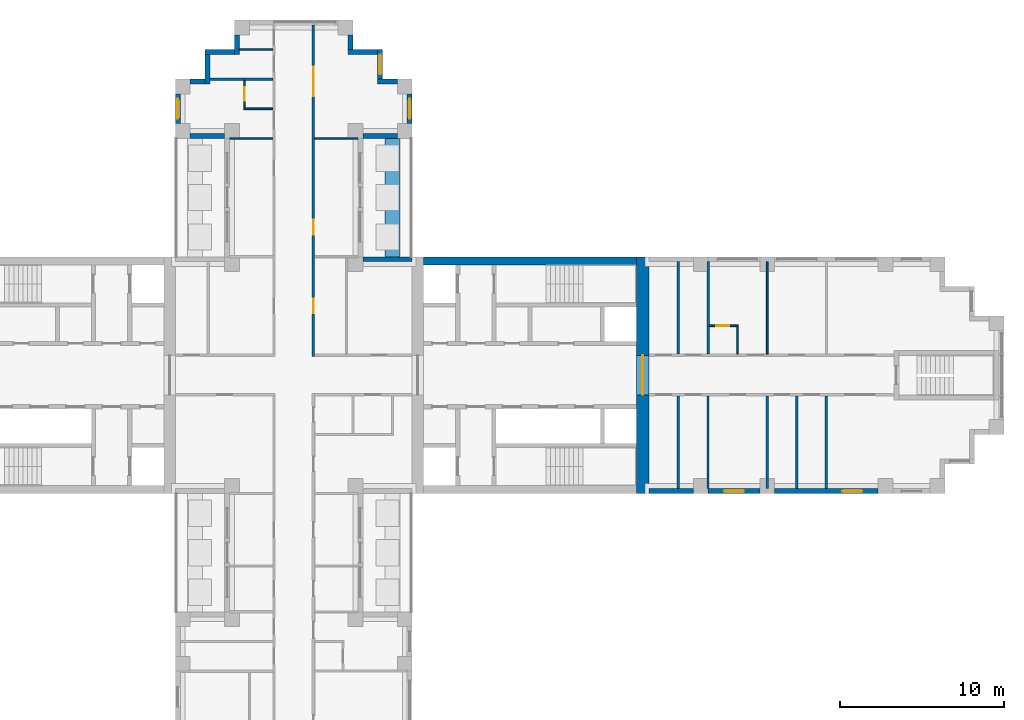
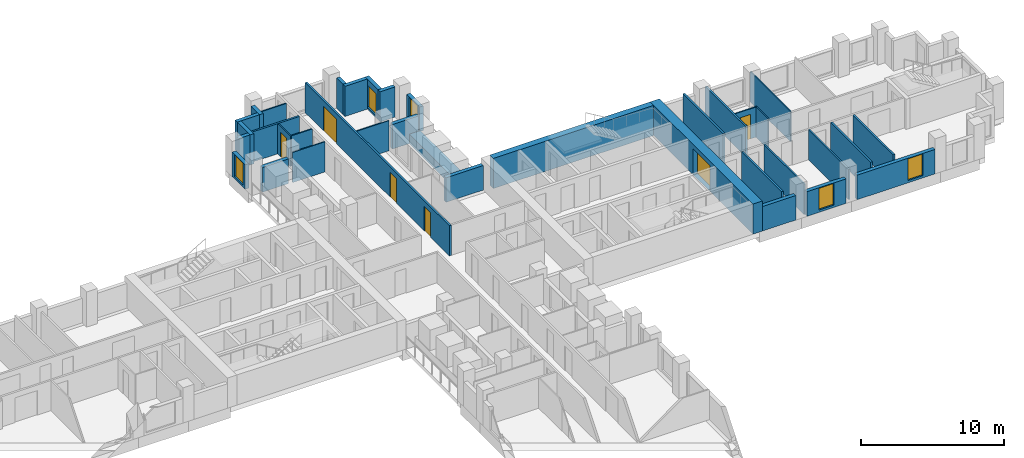
# One storey, part 9 of 13: 36 walls, 6 doors, 5 windows, 11 openings.
"""IFC4 building model written with IfcOpenShell, lengths in metres."""

from ifc_helpers import new_model, si_unit, direction, frame, frame_2d, origin, place, context, subcontext, project, spatial, rectangle, extrude, material, layer, layer_set, type_object, element, fill, save


model = new_model("IFC4")

# Units and contexts
model_context = context("Model", 3, precision=1e-05, world=origin(), true_north=direction((0.0, 1.0)))
body_context = subcontext(model_context, "Body", "Model", "MODEL_VIEW")
ifc_project = project(units=[si_unit("LENGTHUNIT", "METRE"), si_unit("AREAUNIT", "SQUARE_METRE"), si_unit("VOLUMEUNIT", "CUBIC_METRE"), si_unit("PLANEANGLEUNIT", "RADIAN"), si_unit("MASSUNIT", "GRAM", prefix="KILO")], contexts=[model_context])

# Site, building, storey
site_placement = place(None, origin())
site = spatial("IfcSite", under=ifc_project, at=site_placement, CompositionType="ELEMENT")
building_placement = place(site_placement, origin())
building = spatial("IfcBuilding", under=site, at=building_placement, Name="Fustian Cross Tower", CompositionType="ELEMENT")
storey_placement = place(building_placement, frame((0.0, 0.0, 75.89990234375)))
storey = spatial("IfcBuildingStorey", under=building, at=storey_placement, Name="L23", CompositionType="ELEMENT", Elevation=75.89990234375)

# Wall
ifc_material_1 = material(Name="Plasterboard on steel stud", Category="steel")
ifc_layer_1 = layer(ifc_material_1, 0.14990234375)
ifc_layer_set_1 = layer_set([ifc_layer_1], Name="Plasterboard on steel stud")
wall_type_1 = type_object("IfcWallType", Name="COMPARTMENT WALL 150 EI 60", PredefinedType="PARTITIONING", material=ifc_layer_set_1)
wall_1_placement = place(storey_placement, frame((-5.10009765625, 18.0, 0.0), z_axis=(0.0, 0.0, 1.0), x_axis=(1.0, 0.0, 0.0)))
element("IfcWall", 1, at=wall_1_placement, inside=storey, type_object=wall_type_1, Name="Partition 21", PredefinedType="PARTITIONING", context=body_context, shape_type="SweptSolid", body=[
    extrude(rectangle(XDim=3.8251953125, YDim=0.14990234375, at=frame_2d((1.91259765625, 0.0))), origin(), (0.0, 0.0, 1.0), 2.5751953125),
])

# Wall, openings, doors
wall_2_placement = place(storey_placement, frame((1.199951171875, 1.125, 0.0), z_axis=(0.0, 0.0, 1.0), x_axis=(0.0, 1.0, 0.0)))
wall_2 = element("IfcWall", 2, at=wall_2_placement, inside=storey, type_object=wall_type_1, Name="Partition 46", PredefinedType="PARTITIONING", context=body_context, shape_type="SweptSolid", body=[
    extrude(rectangle(XDim=20.175048828125, YDim=0.14990234375, at=frame_2d((10.08740234375, 0.0))), origin(), (0.0, 0.0, 1.0), 2.5751953125),
])
opening_1_placement = place(wall_2_placement, frame((2.625, 0.0, 0.0)))
opening_1 = element("IfcOpeningElement", 3, at=opening_1_placement, cuts=wall_2, Name="Opening D12001", PredefinedType="OPENING", context=body_context, shape_type="SweptSolid", body=[
    extrude(rectangle(XDim=0.89990234375, YDim=2.10009765625, at=frame_2d((0.449951171875, 1.050048828125))), frame((0.0, 0.0849609375, 0.0), z_axis=(0.0, -1.0, 0.0), x_axis=(1.0, 0.0, 0.0)), (0.0, 0.0, 1.0), 0.169921875),
])
opening_2_placement = place(wall_2_placement, frame((7.425048828125, 0.0, 0.0)))
opening_2 = element("IfcOpeningElement", 4, at=opening_2_placement, cuts=wall_2, Name="Opening D12026", PredefinedType="OPENING", context=body_context, shape_type="SweptSolid", body=[
    extrude(rectangle(XDim=0.89990234375, YDim=2.10009765625, at=frame_2d((0.449951171875, 1.050048828125))), frame((0.0, 0.0849609375, 0.0), z_axis=(0.0, -1.0, 0.0), x_axis=(1.0, 0.0, 0.0)), (0.0, 0.0, 1.0), 0.169921875),
])
opening_3_placement = place(wall_2_placement, frame((15.824951171875, 0.0, 0.0)))
opening_3 = element("IfcOpeningElement", 5, at=opening_3_placement, cuts=wall_2, Name="Opening D12027", PredefinedType="OPENING", context=body_context, shape_type="SweptSolid", body=[
    extrude(rectangle(XDim=1.800048828125, YDim=2.10009765625, at=frame_2d((0.89990234375, 1.050048828125))), frame((0.0, 0.0849609375, 0.0), z_axis=(0.0, -1.0, 0.0), x_axis=(1.0, 0.0, 0.0)), (0.0, 0.0, 1.0), 0.169921875),
])
ifc_material_2 = material(Name="Timber fire door set", Category="wood")
door_type_1 = type_object("IfcDoorType", Name="FIRE DOUBLE DOOR 1800 FD30S", OperationType="DOUBLE_DOOR_DOUBLE_SWING", PredefinedType="DOOR", material=ifc_material_2)
door_1_placement = place(opening_3_placement, origin())
door_1 = element("IfcDoor", 6, at=door_1_placement, inside=storey, type_object=door_type_1, Name="Door D12027", OperationType="DOUBLE_DOOR_DOUBLE_SWING", OverallHeight=2.10009765625, OverallWidth=1.800048828125, PredefinedType="DOOR", context=body_context, shape_type="SweptSolid", body=[
    extrude(rectangle(XDim=1.800048828125, YDim=2.10009765625, at=frame_2d((0.89990234375, 1.050048828125))), frame((0.0, 0.02490234375, 0.0), z_axis=(0.0, -1.0, 0.0), x_axis=(1.0, 0.0, 0.0)), (0.0, 0.0, 1.0), 0.050048828125),
])
fill(opening_3, door_1)
ifc_material_3 = material(Name="Timber fire door set", Category="wood")
door_type_2 = type_object("IfcDoorType", Name="FIRE SWING DOOR 900 FD30S", OperationType="SINGLE_SWING_LEFT", PredefinedType="DOOR", material=ifc_material_3)
door_2_placement = place(opening_1_placement, frame((0.89990234375, 0.0, 0.0), z_axis=(0.0, 0.0, 1.0), x_axis=(-1.0, 0.0, 0.0)))
door_2 = element("IfcDoor", 7, at=door_2_placement, inside=storey, type_object=door_type_2, Name="Door D12001", OperationType="SINGLE_SWING_RIGHT", OverallHeight=2.10009765625, OverallWidth=0.89990234375, PredefinedType="DOOR", context=body_context, shape_type="SweptSolid", body=[
    extrude(rectangle(XDim=0.89990234375, YDim=2.10009765625, at=frame_2d((0.449951171875, 1.050048828125))), frame((0.0, 0.02490234375, 0.0), z_axis=(0.0, -1.0, 0.0), x_axis=(1.0, 0.0, 0.0)), (0.0, 0.0, 1.0), 0.050048828125),
])
fill(opening_1, door_2)
door_3_placement = place(opening_2_placement, frame((0.89990234375, 0.0, 0.0), z_axis=(0.0, 0.0, 1.0), x_axis=(-1.0, 0.0, 0.0)))
door_3 = element("IfcDoor", 8, at=door_3_placement, inside=storey, type_object=door_type_2, Name="Door D12026", OperationType="SINGLE_SWING_RIGHT", OverallHeight=2.10009765625, OverallWidth=0.89990234375, PredefinedType="DOOR", context=body_context, shape_type="SweptSolid", body=[
    extrude(rectangle(XDim=0.89990234375, YDim=2.10009765625, at=frame_2d((0.449951171875, 1.050048828125))), frame((0.0, 0.02490234375, 0.0), z_axis=(0.0, -1.0, 0.0), x_axis=(1.0, 0.0, 0.0)), (0.0, 0.0, 1.0), 0.050048828125),
])
fill(opening_2, door_3)

# Walls
for number, where, z_axis, x_axis, name in (
    (9, (23.39990234375, -6.89990234375, 0.0), (0.0, 0.0, 1.0), (0.0, 1.0, 0.0), "Partition 57"),
    (10, (23.39990234375, 1.27490234375, 0.0), (0.0, 0.0, 1.0), (0.0, 1.0, 0.0), "Partition 58"),
    (11, (25.199951171875, 1.27490234375, 0.0), (0.0, 0.0, 1.0), (0.0, 1.0, 0.0), "Partition 60"),
    (12, (30.60009765625, -6.89990234375, 0.0), (0.0, 0.0, 1.0), (0.0, 1.0, 0.0), "Partition 65"),
    (13, (32.39990234375, -6.89990234375, 0.0), (0.0, 0.0, 1.0), (0.0, 1.0, 0.0), "Partition 66"),
):
    element("IfcWall", number, at=place(storey_placement, frame(where, z_axis=z_axis, x_axis=x_axis)), inside=storey, type_object=wall_type_1, Name=name, PredefinedType="PARTITIONING", context=body_context, shape_type="SweptSolid", body=[
        extrude(rectangle(XDim=5.625, YDim=0.14990234375, at=frame_2d((2.8125, 0.0))), origin(), (0.0, 0.0, 1.0), 2.5751953125),
    ])

# Wall, opening, door
ifc_material_4 = material(Name="Concrete C70/85", Category="concrete")
ifc_layer_2 = layer(ifc_material_4, 0.75)
ifc_layer_set_2 = layer_set([ifc_layer_2], Name="Concrete C70/85")
wall_type_2 = type_object("IfcWallType", Name="CORE END WALL 750 C70/85", PredefinedType="SHEAR", material=ifc_layer_set_2)
wall_3_placement = place(storey_placement, frame((21.22509765625, -7.199951171875, 0.0), z_axis=(0.0, 0.0, 1.0), x_axis=(0.0, 1.0, 0.0)))
wall_3 = element("IfcWall", 14, at=wall_3_placement, inside=storey, type_object=wall_type_2, Name="Core end wall", PredefinedType="SHEAR", context=body_context, shape_type="SweptSolid", body=[
    extrude(rectangle(XDim=14.39990234375, YDim=0.75, at=frame_2d((7.199951171875, 0.0))), origin(), (0.0, 0.0, 1.0), 2.5751953125),
])
opening_4_placement = place(wall_3_placement, frame((6.0, 0.0, 0.0)))
opening_4 = element("IfcOpeningElement", 15, at=opening_4_placement, cuts=wall_3, Name="Opening CD-10-13", PredefinedType="OPENING", context=body_context, shape_type="SweptSolid", body=[
    extrude(rectangle(XDim=2.39990234375, YDim=2.199951171875, at=frame_2d((1.199951171875, 1.10009765625))), frame((0.0, 0.385009765625, 0.0), z_axis=(0.0, -1.0, 0.0), x_axis=(1.0, 0.0, 0.0)), (0.0, 0.0, 1.0), 0.77001953125),
])
ifc_material_5 = material(Name="Steel", Category="steel")
door_type_3 = type_object("IfcDoorType", Name="FIRE DOOR FD30S DOUBLE 2400X2200", OperationType="DOUBLE_DOOR_DOUBLE_SWING", PredefinedType="DOOR", material=ifc_material_5)
door_4_placement = place(opening_4_placement, origin())
door_4 = element("IfcDoor", 16, at=door_4_placement, inside=storey, type_object=door_type_3, Name="Core door CD-10-13", OperationType="DOUBLE_DOOR_DOUBLE_SWING", OverallHeight=2.199951171875, OverallWidth=2.39990234375, PredefinedType="DOOR", context=body_context, shape_type="SweptSolid", body=[
    extrude(rectangle(XDim=2.39990234375, YDim=2.199951171875, at=frame_2d((1.199951171875, 1.10009765625))), frame((0.0, 0.02490234375, 0.0), z_axis=(0.0, -1.0, 0.0), x_axis=(1.0, 0.0, 0.0)), (0.0, 0.0, 1.0), 0.050048828125),
])
fill(opening_4, door_4)

# Walls
ifc_material_6 = material(Name="Concrete C70/85", Category="concrete")
ifc_layer_3 = layer(ifc_material_6, 0.5)
ifc_layer_set_3 = layer_set([ifc_layer_3], Name="Concrete C70/85")
wall_type_3 = type_object("IfcWallType", Name="CORE FACADE WALL 500 C70/85", PredefinedType="SHEAR", material=ifc_layer_set_3)
wall_4_placement = place(storey_placement, frame((7.89990234375, 6.949951171875, 0.0), z_axis=(0.0, 0.0, 1.0), x_axis=(1.0, 0.0, 0.0)))
element("IfcWall", 17, at=wall_4_placement, inside=storey, type_object=wall_type_3, Name="Core facade wall", PredefinedType="SHEAR", context=body_context, shape_type="SweptSolid", body=[
    extrude(rectangle(XDim=12.9501953125, YDim=0.5, at=frame_2d((6.47509765625, 0.0))), origin(), (0.0, 0.0, 1.0), 2.5751953125),
])
ifc_material_7 = material(Name="Plasterboard on steel stud", Category="steel")
ifc_layer_4 = layer(ifc_material_7, 0.10009765625)
ifc_layer_set_4 = layer_set([ifc_layer_4], Name="Plasterboard on steel stud")
wall_type_4 = type_object("IfcWallType", Name="PARTITION 100 STUD", PredefinedType="PARTITIONING", material=ifc_layer_set_4)
wall_5_placement = place(storey_placement, frame((-3.89990234375, 14.39990234375, 0.0), z_axis=(0.0, 0.0, 1.0), x_axis=(1.0, 0.0, 0.0)))
element("IfcWall", 18, at=wall_5_placement, inside=storey, type_object=wall_type_4, Name="Partition 29", PredefinedType="PARTITIONING", context=body_context, shape_type="SweptSolid", body=[
    extrude(rectangle(XDim=2.625, YDim=0.10009765625, at=frame_2d((1.3125, 0.0))), origin(), (0.0, 0.0, 1.0), 2.5751953125),
])
wall_6_placement = place(storey_placement, frame((-3.300048828125, 19.800048828125, 0.0), z_axis=(0.0, 0.0, 1.0), x_axis=(1.0, 0.0, 0.0)))
element("IfcWall", 19, at=wall_6_placement, inside=storey, type_object=wall_type_4, Name="Partition 30", PredefinedType="PARTITIONING", context=body_context, shape_type="SweptSolid", body=[
    extrude(rectangle(XDim=2.025146484375, YDim=0.10009765625, at=frame_2d((1.0126953125, 0.0))), origin(), (0.0, 0.0, 1.0), 2.5751953125),
])

# Wall, opening, door
wall_7_placement = place(storey_placement, frame((-3.0, 16.14990234375, 0.0), z_axis=(0.0, 0.0, 1.0), x_axis=(0.0, 1.0, 0.0)))
wall_7 = element("IfcWall", 20, at=wall_7_placement, inside=storey, type_object=wall_type_4, Name="Partition 31", PredefinedType="PARTITIONING", context=body_context, shape_type="SweptSolid", body=[
    extrude(rectangle(XDim=1.775146484375, YDim=0.10009765625, at=frame_2d((0.8876953125, 0.0))), origin(), (0.0, 0.0, 1.0), 2.5751953125),
])
opening_5_placement = place(wall_7_placement, frame((0.550048828125, 0.0, 0.0)))
opening_5 = element("IfcOpeningElement", 21, at=opening_5_placement, cuts=wall_7, Name="Opening D12022", PredefinedType="OPENING", context=body_context, shape_type="SweptSolid", body=[
    extrude(rectangle(XDim=0.800048828125, YDim=2.10009765625, at=frame_2d((0.39990234375, 1.050048828125))), frame((0.0, 0.06005859375, 0.0), z_axis=(0.0, -1.0, 0.0), x_axis=(1.0, 0.0, 0.0)), (0.0, 0.0, 1.0), 0.1201171875),
])
ifc_material_8 = material(Name="Painted timber", Category="wood")
door_type_4 = type_object("IfcDoorType", Name="SWING DOOR 800", OperationType="SINGLE_SWING_LEFT", PredefinedType="DOOR", material=ifc_material_8)
door_5_placement = place(opening_5_placement, frame((0.800048828125, 0.0, 0.0), z_axis=(0.0, 0.0, 1.0), x_axis=(-1.0, 0.0, 0.0)))
door_5 = element("IfcDoor", 22, at=door_5_placement, inside=storey, type_object=door_type_4, Name="Door D12022", OperationType="SINGLE_SWING_LEFT", OverallHeight=2.10009765625, OverallWidth=0.800048828125, PredefinedType="DOOR", context=body_context, shape_type="SweptSolid", body=[
    extrude(rectangle(XDim=0.800048828125, YDim=2.10009765625, at=frame_2d((0.39990234375, 1.050048828125))), frame((0.0, 0.02490234375, 0.0), z_axis=(0.0, -1.0, 0.0), x_axis=(1.0, 0.0, 0.0)), (0.0, 0.0, 1.0), 0.050048828125),
])
fill(opening_5, door_5)

# Walls
wall_8_placement = place(storey_placement, frame((-2.949951171875, 16.199951171875, 0.0), z_axis=(0.0, 0.0, 1.0), x_axis=(1.0, 0.0, 0.0)))
element("IfcWall", 23, at=wall_8_placement, inside=storey, type_object=wall_type_4, Name="Partition 32", PredefinedType="PARTITIONING", context=body_context, shape_type="SweptSolid", body=[
    extrude(rectangle(XDim=1.675048828125, YDim=0.10009765625, at=frame_2d((0.83740234375, 0.0))), origin(), (0.0, 0.0, 1.0), 2.5751953125),
])
wall_9_placement = place(storey_placement, frame((1.27490234375, 14.39990234375, 0.0), z_axis=(0.0, 0.0, 1.0), x_axis=(1.0, 0.0, 0.0)))
element("IfcWall", 24, at=wall_9_placement, inside=storey, type_object=wall_type_4, Name="Partition 49", PredefinedType="PARTITIONING", context=body_context, shape_type="SweptSolid", body=[
    extrude(rectangle(XDim=2.625, YDim=0.10009765625, at=frame_2d((1.3125, 0.0))), origin(), (0.0, 0.0, 1.0), 2.5751953125),
])

# Wall, opening, door
wall_10_placement = place(storey_placement, frame((25.27490234375, 3.0, 0.0), z_axis=(0.0, 0.0, 1.0), x_axis=(1.0, 0.0, 0.0)))
wall_10 = element("IfcWall", 25, at=wall_10_placement, inside=storey, type_object=wall_type_4, Name="Partition 61", PredefinedType="PARTITIONING", context=body_context, shape_type="SweptSolid", body=[
    extrude(rectangle(XDim=1.775146484375, YDim=0.10009765625, at=frame_2d((0.8876953125, 0.0))), origin(), (0.0, 0.0, 1.0), 2.5751953125),
])
opening_6_placement = place(wall_10_placement, frame((0.425048828125, 0.0, 0.0)))
opening_6 = element("IfcOpeningElement", 26, at=opening_6_placement, cuts=wall_10, Name="Opening D12011", PredefinedType="OPENING", context=body_context, shape_type="SweptSolid", body=[
    extrude(rectangle(XDim=0.800048828125, YDim=2.10009765625, at=frame_2d((0.39990234375, 1.050048828125))), frame((0.0, 0.06005859375, 0.0), z_axis=(0.0, -1.0, 0.0), x_axis=(1.0, 0.0, 0.0)), (0.0, 0.0, 1.0), 0.1201171875),
])
door_6_placement = place(opening_6_placement, frame((0.800048828125, 0.0, 0.0), z_axis=(0.0, 0.0, 1.0), x_axis=(-1.0, 0.0, 0.0)))
door_6 = element("IfcDoor", 27, at=door_6_placement, inside=storey, type_object=door_type_4, Name="Door D12011", OperationType="SINGLE_SWING_LEFT", OverallHeight=2.10009765625, OverallWidth=0.800048828125, PredefinedType="DOOR", context=body_context, shape_type="SweptSolid", body=[
    extrude(rectangle(XDim=0.800048828125, YDim=2.10009765625, at=frame_2d((0.39990234375, 1.050048828125))), frame((0.0, 0.02490234375, 0.0), z_axis=(0.0, -1.0, 0.0), x_axis=(1.0, 0.0, 0.0)), (0.0, 0.0, 1.0), 0.050048828125),
])
fill(opening_6, door_6)

# Walls
wall_11_placement = place(storey_placement, frame((27.0, 1.27490234375, 0.0), z_axis=(0.0, 0.0, 1.0), x_axis=(0.0, 1.0, 0.0)))
element("IfcWall", 28, at=wall_11_placement, inside=storey, type_object=wall_type_4, Name="Partition 62", PredefinedType="PARTITIONING", context=body_context, shape_type="SweptSolid", body=[
    extrude(rectangle(XDim=1.675048828125, YDim=0.10009765625, at=frame_2d((0.83740234375, 0.0))), origin(), (0.0, 0.0, 1.0), 2.5751953125),
])
wall_12_placement = place(storey_placement, frame((28.800048828125, 1.27490234375, 0.0), z_axis=(0.0, 0.0, 1.0), x_axis=(0.0, 1.0, 0.0)))
element("IfcWall", 29, at=wall_12_placement, inside=storey, type_object=wall_type_4, Name="Partition 64", PredefinedType="PARTITIONING", context=body_context, shape_type="SweptSolid", body=[
    extrude(rectangle(XDim=5.625, YDim=0.10009765625, at=frame_2d((2.8125, 0.0))), origin(), (0.0, 0.0, 1.0), 2.5751953125),
])
ifc_material_9 = material(Name="Concrete C40/50", Category="concrete")
ifc_layer_5 = layer(ifc_material_9, 0.89990234375)
ifc_layer_set_5 = layer_set([ifc_layer_5], Name="Concrete C40/50")
wall_type_5 = type_object("IfcWallType", Name="PK1 PLANTER 900", PredefinedType="PARAPET", material=ifc_layer_set_5)
wall_13_placement = place(storey_placement, frame((6.0, 7.199951171875, 0.0), z_axis=(0.0, 0.0, 1.0), x_axis=(0.0, 1.0, 0.0)))
element("IfcWall", 30, at=wall_13_placement, inside=storey, type_object=wall_type_5, Name="PLANTER", PredefinedType="PARAPET", context=body_context, shape_type="SweptSolid", body=[
    extrude(rectangle(XDim=7.199951171875, YDim=0.89990234375, at=frame_2d((3.60009765625, 0.0))), origin(), (0.0, 0.0, 1.0), 0.800048828125),
])
ifc_material_10 = material(Name="Plasterboard on steel stud", Category="steel")
ifc_layer_6 = layer(ifc_material_10, 0.125)
ifc_layer_set_6 = layer_set([ifc_layer_6], Name="Plasterboard on steel stud")
wall_type_6 = type_object("IfcWallType", Name="WET WALL 125 STUD", PredefinedType="PARTITIONING", material=ifc_layer_set_6)
for number, where, z_axis, x_axis, name in (
    (31, (25.199951171875, -6.89990234375, 0.0), (0.0, 0.0, 1.0), (0.0, 1.0, 0.0), "Partition 59"),
    (32, (28.800048828125, -6.89990234375, 0.0), (0.0, 0.0, 1.0), (0.0, 1.0, 0.0), "Partition 63"),
):
    element("IfcWall", number, at=place(storey_placement, frame(where, z_axis=z_axis, x_axis=x_axis)), inside=storey, type_object=wall_type_6, Name=name, PredefinedType="PARTITIONING", context=body_context, shape_type="SweptSolid", body=[
        extrude(rectangle(XDim=5.625, YDim=0.125, at=frame_2d((2.8125, 0.0))), origin(), (0.0, 0.0, 1.0), 2.5751953125),
    ])
ifc_material_11 = material(Name="Dark aluminium cladding on insulated backing wall", Category="aluminium")
ifc_layer_7 = layer(ifc_material_11, 0.300048828125)
ifc_layer_set_7 = layer_set([ifc_layer_7], Name="Dark aluminium cladding on insulated backing wall")
wall_type_7 = type_object("IfcWallType", Name="XW1 EXTERNAL WALL 300", PredefinedType="SOLIDWALL", material=ifc_layer_set_7)
wall_14_placement = place(storey_placement, frame((21.60009765625, -7.050048828125, 0.0), z_axis=(0.0, 0.0, 1.0), x_axis=(1.0, 0.0, 0.0)))
element("IfcWall", 33, at=wall_14_placement, inside=storey, type_object=wall_type_7, Name="External wall", PredefinedType="SOLIDWALL", context=body_context, shape_type="SweptSolid", body=[
    extrude(rectangle(XDim=2.699951171875, YDim=0.300048828125, at=frame_2d((1.35009765625, 0.0))), origin(), (0.0, 0.0, 1.0), 2.10009765625),
])

# Wall, opening, window
wall_15_placement = place(storey_placement, frame((25.199951171875, -7.050048828125, 0.0), z_axis=(0.0, 0.0, 1.0), x_axis=(1.0, 0.0, 0.0)))
wall_15 = element("IfcWall", 34, at=wall_15_placement, inside=storey, type_object=wall_type_7, Name="External wall", PredefinedType="SOLIDWALL", context=body_context, shape_type="SweptSolid", body=[
    extrude(rectangle(XDim=3.150146484375, YDim=0.300048828125, at=frame_2d((1.5751953125, 0.0))), origin(), (0.0, 0.0, 1.0), 2.10009765625),
])
opening_7_placement = place(wall_15_placement, frame((0.97509765625, 0.0, 0.199951171875)))
opening_7 = element("IfcOpeningElement", 35, at=opening_7_placement, cuts=wall_15, Name="Opening WN3", PredefinedType="OPENING", context=body_context, shape_type="SweptSolid", body=[
    extrude(rectangle(XDim=1.199951171875, YDim=1.85009765625, at=frame_2d((0.60009765625, 0.925048828125))), frame((0.0, 0.159912109375, 0.0), z_axis=(0.0, -1.0, 0.0), x_axis=(1.0, 0.0, 0.0)), (0.0, 0.0, 1.0), 0.320068359375),
])
ifc_material_12 = material(Name="Dark anodised aluminium and double glazing", Category="aluminium")
window_type = type_object("IfcWindowType", Name="WN3 WINDOW 1200X1850", PartitioningType="SINGLE_PANEL", PredefinedType="WINDOW", material=ifc_material_12)
window_1_placement = place(opening_7_placement, origin())
window_1 = element("IfcWindow", 36, at=window_1_placement, inside=storey, type_object=window_type, Name="Window", OverallHeight=1.85009765625, OverallWidth=1.199951171875, PartitioningType="SINGLE_PANEL", PredefinedType="WINDOW", context=body_context, shape_type="SweptSolid", body=[
    extrude(rectangle(XDim=1.199951171875, YDim=1.85009765625, at=frame_2d((0.60009765625, 0.925048828125))), frame((0.0, 0.030029296875, 0.0), z_axis=(0.0, -1.0, 0.0), x_axis=(1.0, 0.0, 0.0)), (0.0, 0.0, 1.0), 0.06005859375),
])
fill(opening_7, window_1)

wall_16_placement = place(storey_placement, frame((29.25, -7.050048828125, 0.0), z_axis=(0.0, 0.0, 1.0), x_axis=(1.0, 0.0, 0.0)))
wall_16 = element("IfcWall", 37, at=wall_16_placement, inside=storey, type_object=wall_type_7, Name="External wall", PredefinedType="SOLIDWALL", context=body_context, shape_type="SweptSolid", body=[
    extrude(rectangle(XDim=6.300048828125, YDim=0.300048828125, at=frame_2d((3.14990234375, 0.0))), origin(), (0.0, 0.0, 1.0), 2.10009765625),
])
opening_8_placement = place(wall_16_placement, frame((4.125, 0.0, 0.199951171875)))
opening_8 = element("IfcOpeningElement", 38, at=opening_8_placement, cuts=wall_16, Name="Opening WN3", PredefinedType="OPENING", context=body_context, shape_type="SweptSolid", body=[
    extrude(rectangle(XDim=1.199951171875, YDim=1.85009765625, at=frame_2d((0.60009765625, 0.925048828125))), frame((0.0, 0.159912109375, 0.0), z_axis=(0.0, -1.0, 0.0), x_axis=(1.0, 0.0, 0.0)), (0.0, 0.0, 1.0), 0.320068359375),
])
window_2_placement = place(opening_8_placement, origin())
window_2 = element("IfcWindow", 39, at=window_2_placement, inside=storey, type_object=window_type, Name="Window", OverallHeight=1.85009765625, OverallWidth=1.199951171875, PartitioningType="SINGLE_PANEL", PredefinedType="WINDOW", context=body_context, shape_type="SweptSolid", body=[
    extrude(rectangle(XDim=1.199951171875, YDim=1.85009765625, at=frame_2d((0.60009765625, 0.925048828125))), frame((0.0, 0.030029296875, 0.0), z_axis=(0.0, -1.0, 0.0), x_axis=(1.0, 0.0, 0.0)), (0.0, 0.0, 1.0), 0.06005859375),
])
fill(opening_8, window_2)

# Walls
wall_17_placement = place(storey_placement, frame((7.199951171875, 7.050048828125, 0.0), z_axis=(0.0, 0.0, 1.0), x_axis=(-1.0, 0.0, 0.0)))
element("IfcWall", 40, at=wall_17_placement, inside=storey, type_object=wall_type_7, Name="External wall", PredefinedType="SOLIDWALL", context=body_context, shape_type="SweptSolid", body=[
    extrude(rectangle(XDim=3.0, YDim=0.300048828125, at=frame_2d((1.5, 0.0))), origin(), (0.0, 0.0, 1.0), 2.10009765625),
])
wall_18_placement = place(storey_placement, frame((4.199951171875, 14.550048828125, 0.0), z_axis=(0.0, 0.0, 1.0), x_axis=(1.0, 0.0, 0.0)))
element("IfcWall", 41, at=wall_18_placement, inside=storey, type_object=wall_type_7, Name="External wall", PredefinedType="SOLIDWALL", context=body_context, shape_type="SweptSolid", body=[
    extrude(rectangle(XDim=2.10009765625, YDim=0.300048828125, at=frame_2d((1.050048828125, 0.0))), origin(), (0.0, 0.0, 1.0), 2.10009765625),
])

# Wall, opening, window
wall_19_placement = place(storey_placement, frame((7.050048828125, 15.300048828125, 0.0), z_axis=(0.0, 0.0, 1.0), x_axis=(0.0, 1.0, 0.0)))
wall_19 = element("IfcWall", 42, at=wall_19_placement, inside=storey, type_object=wall_type_7, Name="External wall", PredefinedType="SOLIDWALL", context=body_context, shape_type="SweptSolid", body=[
    extrude(rectangle(XDim=1.800048828125, YDim=0.300048828125, at=frame_2d((0.89990234375, 0.0))), origin(), (0.0, 0.0, 1.0), 2.10009765625),
])
opening_9_placement = place(wall_19_placement, frame((0.300048828125, 0.0, 0.199951171875)))
opening_9 = element("IfcOpeningElement", 43, at=opening_9_placement, cuts=wall_19, Name="Opening WN3", PredefinedType="OPENING", context=body_context, shape_type="SweptSolid", body=[
    extrude(rectangle(XDim=1.199951171875, YDim=1.85009765625, at=frame_2d((0.60009765625, 0.925048828125))), frame((0.0, 0.159912109375, 0.0), z_axis=(0.0, -1.0, 0.0), x_axis=(1.0, 0.0, 0.0)), (0.0, 0.0, 1.0), 0.320068359375),
])
window_3_placement = place(opening_9_placement, origin())
window_3 = element("IfcWindow", 44, at=window_3_placement, inside=storey, type_object=window_type, Name="Window", OverallHeight=1.85009765625, OverallWidth=1.199951171875, PartitioningType="SINGLE_PANEL", PredefinedType="WINDOW", context=body_context, shape_type="SweptSolid", body=[
    extrude(rectangle(XDim=1.199951171875, YDim=1.85009765625, at=frame_2d((0.60009765625, 0.925048828125))), frame((0.0, 0.030029296875, 0.0), z_axis=(0.0, -1.0, 0.0), x_axis=(1.0, 0.0, 0.0)), (0.0, 0.0, 1.0), 0.06005859375),
])
fill(opening_9, window_3)

# Wall
wall_20_placement = place(storey_placement, frame((6.300048828125, 17.85009765625, 0.0), z_axis=(0.0, 0.0, 1.0), x_axis=(-1.0, 0.0, 0.0)))
element("IfcWall", 45, at=wall_20_placement, inside=storey, type_object=wall_type_7, Name="External wall", PredefinedType="SOLIDWALL", context=body_context, shape_type="SweptSolid", body=[
    extrude(rectangle(XDim=1.199951171875, YDim=0.300048828125, at=frame_2d((0.60009765625, 0.0))), origin(), (0.0, 0.0, 1.0), 2.5751953125),
])

# Wall, opening, window
wall_21_placement = place(storey_placement, frame((5.25, 18.0, 0.0), z_axis=(0.0, 0.0, 1.0), x_axis=(0.0, 1.0, 0.0)))
wall_21 = element("IfcWall", 46, at=wall_21_placement, inside=storey, type_object=wall_type_7, Name="External wall", PredefinedType="SOLIDWALL", context=body_context, shape_type="SweptSolid", body=[
    extrude(rectangle(XDim=1.800048828125, YDim=0.300048828125, at=frame_2d((0.89990234375, 0.0))), origin(), (0.0, 0.0, 1.0), 2.5751953125),
])
opening_10_placement = place(wall_21_placement, frame((0.300048828125, 0.0, 0.199951171875)))
opening_10 = element("IfcOpeningElement", 47, at=opening_10_placement, cuts=wall_21, Name="Opening WN3", PredefinedType="OPENING", context=body_context, shape_type="SweptSolid", body=[
    extrude(rectangle(XDim=1.199951171875, YDim=1.85009765625, at=frame_2d((0.60009765625, 0.925048828125))), frame((0.0, 0.159912109375, 0.0), z_axis=(0.0, -1.0, 0.0), x_axis=(1.0, 0.0, 0.0)), (0.0, 0.0, 1.0), 0.320068359375),
])
window_4_placement = place(opening_10_placement, origin())
window_4 = element("IfcWindow", 48, at=window_4_placement, inside=storey, type_object=window_type, Name="Window", OverallHeight=1.85009765625, OverallWidth=1.199951171875, PartitioningType="SINGLE_PANEL", PredefinedType="WINDOW", context=body_context, shape_type="SweptSolid", body=[
    extrude(rectangle(XDim=1.199951171875, YDim=1.85009765625, at=frame_2d((0.60009765625, 0.925048828125))), frame((0.0, 0.030029296875, 0.0), z_axis=(0.0, -1.0, 0.0), x_axis=(1.0, 0.0, 0.0)), (0.0, 0.0, 1.0), 0.06005859375),
])
fill(opening_10, window_4)

# Walls
wall_22_placement = place(storey_placement, frame((5.10009765625, 19.64990234375, 0.0), z_axis=(0.0, 0.0, 1.0), x_axis=(-1.0, 0.0, 0.0)))
element("IfcWall", 49, at=wall_22_placement, inside=storey, type_object=wall_type_7, Name="External wall", PredefinedType="SOLIDWALL", context=body_context, shape_type="SweptSolid", body=[
    extrude(rectangle(XDim=1.800048828125, YDim=0.300048828125, at=frame_2d((0.89990234375, 0.0))), origin(), (0.0, 0.0, 1.0), 2.5751953125),
])
wall_23_placement = place(storey_placement, frame((3.449951171875, 19.800048828125, 0.0), z_axis=(0.0, 0.0, 1.0), x_axis=(0.0, 1.0, 0.0)))
element("IfcWall", 50, at=wall_23_placement, inside=storey, type_object=wall_type_7, Name="External wall", PredefinedType="SOLIDWALL", context=body_context, shape_type="SweptSolid", body=[
    extrude(rectangle(XDim=0.89990234375, YDim=0.300048828125, at=frame_2d((0.449951171875, 0.0))), origin(), (0.0, 0.0, 1.0), 2.5751953125),
])
wall_24_placement = place(storey_placement, frame((-3.449951171875, 20.699951171875, 0.0), z_axis=(0.0, 0.0, 1.0), x_axis=(0.0, -1.0, 0.0)))
element("IfcWall", 51, at=wall_24_placement, inside=storey, type_object=wall_type_7, Name="External wall", PredefinedType="SOLIDWALL", context=body_context, shape_type="SweptSolid", body=[
    extrude(rectangle(XDim=1.199951171875, YDim=0.300048828125, at=frame_2d((0.60009765625, 0.0))), origin(), (0.0, 0.0, 1.0), 2.5751953125),
])
wall_25_placement = place(storey_placement, frame((-3.60009765625, 19.64990234375, 0.0), z_axis=(0.0, 0.0, 1.0), x_axis=(-1.0, 0.0, 0.0)))
element("IfcWall", 52, at=wall_25_placement, inside=storey, type_object=wall_type_7, Name="External wall", PredefinedType="SOLIDWALL", context=body_context, shape_type="SweptSolid", body=[
    extrude(rectangle(XDim=1.7998046875, YDim=0.300048828125, at=frame_2d((0.89990234375, 0.0))), origin(), (0.0, 0.0, 1.0), 2.5751953125),
])
wall_26_placement = place(storey_placement, frame((-5.25, 19.5, 0.0), z_axis=(0.0, 0.0, 1.0), x_axis=(0.0, -1.0, 0.0)))
element("IfcWall", 53, at=wall_26_placement, inside=storey, type_object=wall_type_7, Name="External wall", PredefinedType="SOLIDWALL", context=body_context, shape_type="SweptSolid", body=[
    extrude(rectangle(XDim=1.800048828125, YDim=0.300048828125, at=frame_2d((0.89990234375, 0.0))), origin(), (0.0, 0.0, 1.0), 2.5751953125),
])
wall_27_placement = place(storey_placement, frame((-5.39990234375, 17.85009765625, 0.0), z_axis=(0.0, 0.0, 1.0), x_axis=(-1.0, 0.0, 0.0)))
element("IfcWall", 54, at=wall_27_placement, inside=storey, type_object=wall_type_7, Name="External wall", PredefinedType="SOLIDWALL", context=body_context, shape_type="SweptSolid", body=[
    extrude(rectangle(XDim=0.900146484375, YDim=0.300048828125, at=frame_2d((0.4501953125, 0.0))), origin(), (0.0, 0.0, 1.0), 2.5751953125),
])

# Wall, opening, window
wall_28_placement = place(storey_placement, frame((-7.050048828125, 17.10009765625, 0.0), z_axis=(0.0, 0.0, 1.0), x_axis=(0.0, -1.0, 0.0)))
wall_28 = element("IfcWall", 55, at=wall_28_placement, inside=storey, type_object=wall_type_7, Name="External wall", PredefinedType="SOLIDWALL", context=body_context, shape_type="SweptSolid", body=[
    extrude(rectangle(XDim=1.800048828125, YDim=0.300048828125, at=frame_2d((0.89990234375, 0.0))), origin(), (0.0, 0.0, 1.0), 2.10009765625),
])
opening_11_placement = place(wall_28_placement, frame((0.300048828125, 0.0, 0.199951171875)))
opening_11 = element("IfcOpeningElement", 56, at=opening_11_placement, cuts=wall_28, Name="Opening WN3", PredefinedType="OPENING", context=body_context, shape_type="SweptSolid", body=[
    extrude(rectangle(XDim=1.199951171875, YDim=1.85009765625, at=frame_2d((0.60009765625, 0.925048828125))), frame((0.0, 0.159912109375, 0.0), z_axis=(0.0, -1.0, 0.0), x_axis=(1.0, 0.0, 0.0)), (0.0, 0.0, 1.0), 0.320068359375),
])
window_5_placement = place(opening_11_placement, origin())
window_5 = element("IfcWindow", 57, at=window_5_placement, inside=storey, type_object=window_type, Name="Window", OverallHeight=1.85009765625, OverallWidth=1.199951171875, PartitioningType="SINGLE_PANEL", PredefinedType="WINDOW", context=body_context, shape_type="SweptSolid", body=[
    extrude(rectangle(XDim=1.199951171875, YDim=1.85009765625, at=frame_2d((0.60009765625, 0.925048828125))), frame((0.0, 0.030029296875, 0.0), z_axis=(0.0, -1.0, 0.0), x_axis=(1.0, 0.0, 0.0)), (0.0, 0.0, 1.0), 0.06005859375),
])
fill(opening_11, window_5)

# Wall
wall_29_placement = place(storey_placement, frame((-6.300048828125, 14.550048828125, 0.0), z_axis=(0.0, 0.0, 1.0), x_axis=(1.0, 0.0, 0.0)))
element("IfcWall", 58, at=wall_29_placement, inside=storey, type_object=wall_type_7, Name="External wall", PredefinedType="SOLIDWALL", context=body_context, shape_type="SweptSolid", body=[
    extrude(rectangle(XDim=2.10009765625, YDim=0.300048828125, at=frame_2d((1.050048828125, 0.0))), origin(), (0.0, 0.0, 1.0), 2.10009765625),
])

save(model, "model.ifc")
